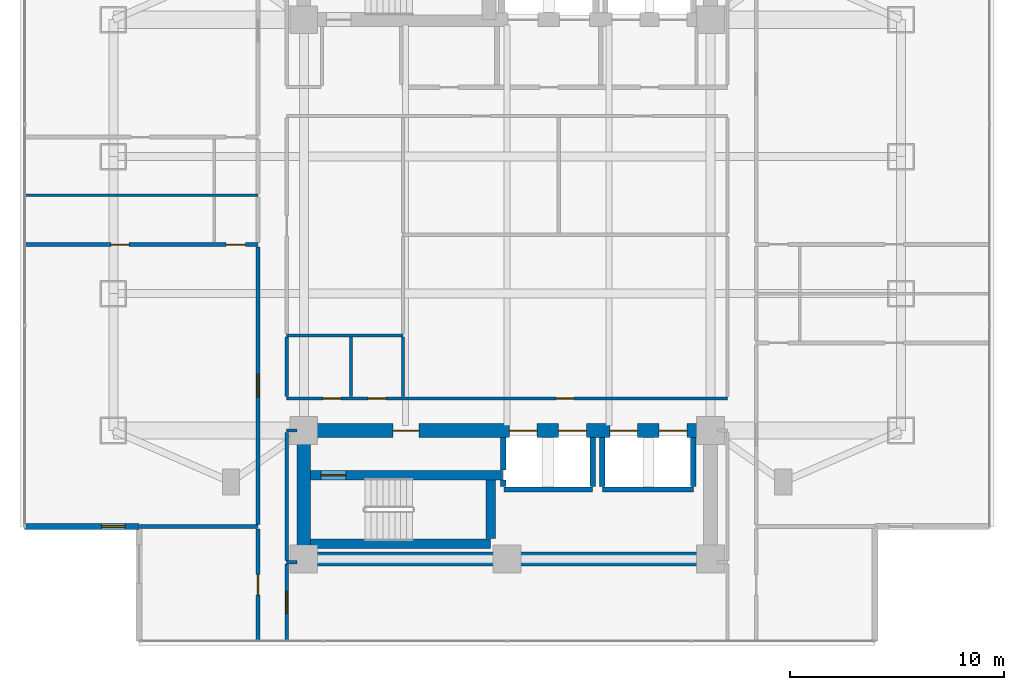
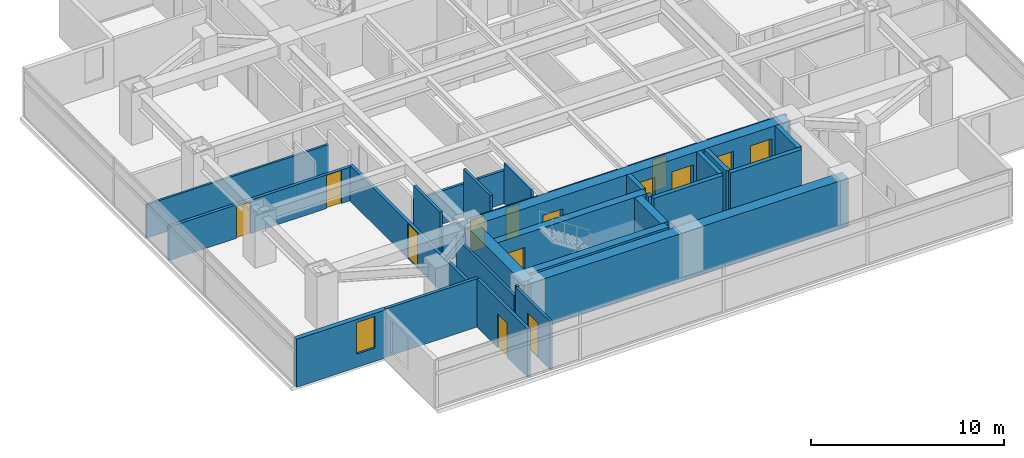
# One storey, part 14 of 27: 28 walls, 14 doors, 1 window, 15 openings.
"""IFC4 building model written with IfcOpenShell, lengths in metres."""

from ifc_helpers import new_model, si_unit, direction, frame, frame_2d, origin, place, context, subcontext, project, spatial, rectangle, extrude, material, layer, layer_set, type_object, element, fill, save


model = new_model("IFC4")

# Units and contexts
model_context = context("Model", 3, precision=1e-05, world=origin(), true_north=direction((0.0, 1.0)))
body_context = subcontext(model_context, "Body", "Model", "MODEL_VIEW")
ifc_project = project(units=[si_unit("LENGTHUNIT", "METRE"), si_unit("AREAUNIT", "SQUARE_METRE"), si_unit("VOLUMEUNIT", "CUBIC_METRE"), si_unit("PLANEANGLEUNIT", "RADIAN"), si_unit("MASSUNIT", "GRAM", prefix="KILO")], contexts=[model_context])

# Site, building, storey
site_placement = place(None, origin())
site = spatial("IfcSite", under=ifc_project, at=site_placement, CompositionType="ELEMENT")
building_placement = place(site_placement, origin())
building = spatial("IfcBuilding", under=site, at=building_placement, Name="Mirazonda Arch Towers", CompositionType="ELEMENT")
storey_placement = place(building_placement, frame((0.0, 0.0, 75.199951171875)))
storey = spatial("IfcBuildingStorey", under=building, at=storey_placement, Name="L21", CompositionType="ELEMENT", Elevation=75.199951171875)

# Wall
ifc_material_1 = material(Name="Concrete C50/60", Category="concrete")
ifc_layer_1 = layer(ifc_material_1, 0.449951171875, Name="WALL-CORE-450")
ifc_layer_set_1 = layer_set([ifc_layer_1], Name="Concrete C50/60")
wall_type_1 = type_object("IfcWallType", Name="WALL-CORE-450", PredefinedType="SHEAR", material=ifc_layer_set_1)
wall_1_placement = place(storey_placement, frame((11.320068359375, 13.1201171875, 0.0), z_axis=(0.0, 0.0, 1.0), x_axis=(1.0, 0.0, 0.0)))
element("IfcWall", 1, at=wall_1_placement, inside=storey, type_object=wall_type_1, Name="L21 Stair Core Shear Wall 003", PredefinedType="SHEAR", context=body_context, shape_type="SweptSolid", body=[
    extrude(rectangle(XDim=8.409912109375, YDim=0.449951171875, at=frame_2d((4.205078125, 0.0))), origin(), (0.0, 0.0, 1.0), 3.06005859375),
])

# Wall, opening, door
wall_2_placement = place(storey_placement, frame((11.320068359375, 16.320068359375, 0.0), z_axis=(0.0, 0.0, 1.0), x_axis=(1.0, 0.0, 0.0)))
wall_2 = element("IfcWall", 2, at=wall_2_placement, inside=storey, type_object=wall_type_1, Name="L21 Stair Core Shear Wall 008", PredefinedType="SHEAR", context=body_context, shape_type="SweptSolid", body=[
    extrude(rectangle(XDim=8.9599609375, YDim=0.449951171875, at=frame_2d((4.47998046875, 0.0))), origin(), (0.0, 0.0, 1.0), 3.06005859375),
])
opening_1_placement = place(wall_2_placement, frame((0.4951171875, 0.0, 0.0)))
opening_1 = element("IfcOpeningElement", 3, at=opening_1_placement, cuts=wall_2, Name="Opening DR-135", PredefinedType="OPENING", context=body_context, shape_type="SweptSolid", body=[
    extrude(rectangle(XDim=1.14990234375, YDim=2.199951171875, at=frame_2d((0.574951171875, 1.10009765625))), frame((0.0, 0.23486328125, 0.0), z_axis=(0.0, -1.0, 0.0), x_axis=(1.0, 0.0, 0.0)), (0.0, 0.0, 1.0), 0.469970703125),
])
ifc_material_2 = material(Name="Architectural Brushed Steel S355", Category="steel")
door_type_1 = type_object("IfcDoorType", Name="DOOR-STAIR-FD90-1150", OperationType="NOTDEFINED", PredefinedType="DOOR", material=ifc_material_2)
door_1_placement = place(opening_1_placement, origin())
door_1 = element("IfcDoor", 4, at=door_1_placement, inside=storey, type_object=door_type_1, Name="L21 Protected Exit Stair South Door", OperationType="SINGLE_SWING_LEFT", OverallHeight=2.199951171875, OverallWidth=1.14990234375, PredefinedType="DOOR", context=body_context, shape_type="SweptSolid", body=[
    extrude(rectangle(XDim=1.14990234375, YDim=2.199951171875, at=frame_2d((0.574951171875, 1.10009765625))), frame((0.0, 0.02490234375, 0.0), z_axis=(0.0, -1.0, 0.0), x_axis=(1.0, 0.0, 0.0)), (0.0, 0.0, 1.0), 0.050048828125),
])
fill(opening_1, door_1)

# Walls
wall_3_placement = place(storey_placement, frame((19.72998046875, 13.35498046875, 0.0), z_axis=(0.0, 0.0, 1.0), x_axis=(0.0, 1.0, 0.0)))
element("IfcWall", 5, at=wall_3_placement, inside=storey, type_object=wall_type_1, Name="L21 Stair Core Shear Wall 078", PredefinedType="SHEAR", context=body_context, shape_type="SweptSolid", body=[
    extrude(rectangle(XDim=2.72998046875, YDim=0.449951171875, at=frame_2d((1.364990234375, 0.0))), origin(), (0.0, 0.0, 1.0), 3.06005859375),
])
ifc_material_3 = material(Name="Concrete C60/75", Category="concrete")
ifc_layer_2 = layer(ifc_material_3, 0.64990234375, Name="WALL-CORE-650")
ifc_layer_set_2 = layer_set([ifc_layer_2], Name="Concrete C60/75")
wall_type_2 = type_object("IfcWallType", Name="WALL-CORE-650", PredefinedType="SHEAR", material=ifc_layer_set_2)
wall_4_placement = place(storey_placement, frame((11.0, 12.39990234375, 0.0), z_axis=(0.0, 0.0, 1.0), x_axis=(1.0, 0.0, 0.0)))
element("IfcWall", 6, at=wall_4_placement, inside=storey, type_object=wall_type_2, Name="L21 T1S-S Core Shear Wall", PredefinedType="SHEAR", context=body_context, shape_type="SweptSolid", body=[
    extrude(rectangle(XDim=19.0, YDim=0.64990234375, at=frame_2d((9.5, 0.0))), origin(), (0.0, 0.0, 1.0), 3.06005859375),
])
wall_5_placement = place(storey_placement, frame((11.0, 12.39990234375, 0.0), z_axis=(0.0, 0.0, 1.0), x_axis=(0.0, 1.0, 0.0)))
element("IfcWall", 7, at=wall_5_placement, inside=storey, type_object=wall_type_2, Name="L21 T1S-W Core Shear Wall", PredefinedType="SHEAR", context=body_context, shape_type="SweptSolid", body=[
    extrude(rectangle(XDim=6.0, YDim=0.64990234375, at=frame_2d((3.0, 0.0))), origin(), (0.0, 0.0, 1.0), 3.06005859375),
])

# Wall, openings, doors
wall_6_placement = place(storey_placement, frame((11.0, 18.39990234375, 0.0), z_axis=(0.0, 0.0, 1.0), x_axis=(1.0, 0.0, 0.0)))
wall_6 = element("IfcWall", 8, at=wall_6_placement, inside=storey, type_object=wall_type_2, Name="L21 T1S-N Core Shear Wall", PredefinedType="SHEAR", context=body_context, shape_type="SweptSolid", body=[
    extrude(rectangle(XDim=19.0, YDim=0.64990234375, at=frame_2d((9.5, 0.0))), origin(), (0.0, 0.0, 1.0), 3.06005859375),
])
opening_2_placement = place(wall_6_placement, frame((4.175048828125, 0.0, 0.0)))
opening_2 = element("IfcOpeningElement", 9, at=opening_2_placement, cuts=wall_6, Name="Opening DR-117", PredefinedType="OPENING", context=body_context, shape_type="SweptSolid", body=[
    extrude(rectangle(XDim=1.199951171875, YDim=2.25, at=frame_2d((0.60009765625, 1.125))), frame((0.0, 0.3349609375, 0.0), z_axis=(0.0, -1.0, 0.0), x_axis=(1.0, 0.0, 0.0)), (0.0, 0.0, 1.0), 0.669921875),
])
opening_3_placement = place(wall_6_placement, frame((9.60009765625, 0.0, 0.0)))
opening_3 = element("IfcOpeningElement", 10, at=opening_3_placement, cuts=wall_6, Name="Opening LD-111", PredefinedType="OPENING", context=body_context, shape_type="SweptSolid", body=[
    extrude(rectangle(XDim=1.300048828125, YDim=2.300048828125, at=frame_2d((0.64990234375, 1.14990234375))), frame((0.0, 0.3349609375, 0.0), z_axis=(0.0, -1.0, 0.0), x_axis=(1.0, 0.0, 0.0)), (0.0, 0.0, 1.0), 0.669921875),
])
opening_4_placement = place(wall_6_placement, frame((11.89990234375, 0.0, 0.0)))
opening_4 = element("IfcOpeningElement", 11, at=opening_4_placement, cuts=wall_6, Name="Opening LD-111", PredefinedType="OPENING", context=body_context, shape_type="SweptSolid", body=[
    extrude(rectangle(XDim=1.300048828125, YDim=2.300048828125, at=frame_2d((0.64990234375, 1.14990234375))), frame((0.0, 0.3349609375, 0.0), z_axis=(0.0, -1.0, 0.0), x_axis=(1.0, 0.0, 0.0)), (0.0, 0.0, 1.0), 0.669921875),
])
opening_5_placement = place(wall_6_placement, frame((14.300048828125, 0.0, 0.0)))
opening_5 = element("IfcOpeningElement", 12, at=opening_5_placement, cuts=wall_6, Name="Opening LD-111", PredefinedType="OPENING", context=body_context, shape_type="SweptSolid", body=[
    extrude(rectangle(XDim=1.300048828125, YDim=2.300048828125, at=frame_2d((0.64990234375, 1.14990234375))), frame((0.0, 0.3349609375, 0.0), z_axis=(0.0, -1.0, 0.0), x_axis=(1.0, 0.0, 0.0)), (0.0, 0.0, 1.0), 0.669921875),
])
opening_6_placement = place(wall_6_placement, frame((16.60009765625, 0.0, 0.0)))
opening_6 = element("IfcOpeningElement", 13, at=opening_6_placement, cuts=wall_6, Name="Opening LD-111", PredefinedType="OPENING", context=body_context, shape_type="SweptSolid", body=[
    extrude(rectangle(XDim=1.300048828125, YDim=2.300048828125, at=frame_2d((0.64990234375, 1.14990234375))), frame((0.0, 0.3349609375, 0.0), z_axis=(0.0, -1.0, 0.0), x_axis=(1.0, 0.0, 0.0)), (0.0, 0.0, 1.0), 0.669921875),
])
door_type_2 = type_object("IfcDoorType", Name="DOOR-FFL-FD90-1200", OperationType="NOTDEFINED", PredefinedType="DOOR", material=ifc_material_2)
door_2_placement = place(opening_2_placement, origin())
door_2 = element("IfcDoor", 14, at=door_2_placement, inside=storey, type_object=door_type_2, Name="L21 South Core Stair & Lift Lobby Door", OperationType="SINGLE_SWING_RIGHT", OverallHeight=2.25, OverallWidth=1.199951171875, PredefinedType="DOOR", context=body_context, shape_type="SweptSolid", body=[
    extrude(rectangle(XDim=1.199951171875, YDim=2.25, at=frame_2d((0.60009765625, 1.125))), frame((0.0, 0.02490234375, 0.0), z_axis=(0.0, -1.0, 0.0), x_axis=(1.0, 0.0, 0.0)), (0.0, 0.0, 1.0), 0.050048828125),
])
fill(opening_2, door_2)
door_type_3 = type_object("IfcDoorType", Name="DOOR-LIFT-LAND-1300", OperationType="NOTDEFINED", PredefinedType="DOOR", material=ifc_material_2)
door_3_placement = place(opening_3_placement, origin())
door_3 = element("IfcDoor", 15, at=door_3_placement, inside=storey, type_object=door_type_3, Name="L21 Lift Landing Sliding Door PL-T1M1", OperationType="DOUBLE_DOOR_SLIDING", OverallHeight=2.300048828125, OverallWidth=1.300048828125, PredefinedType="DOOR", context=body_context, shape_type="SweptSolid", body=[
    extrude(rectangle(XDim=1.300048828125, YDim=2.300048828125, at=frame_2d((0.64990234375, 1.14990234375))), frame((0.0, 0.02490234375, 0.0), z_axis=(0.0, -1.0, 0.0), x_axis=(1.0, 0.0, 0.0)), (0.0, 0.0, 1.0), 0.050048828125),
])
fill(opening_3, door_3)
door_4_placement = place(opening_4_placement, origin())
door_4 = element("IfcDoor", 16, at=door_4_placement, inside=storey, type_object=door_type_3, Name="L21 Lift Landing Sliding Door PL-T1M2", OperationType="DOUBLE_DOOR_SLIDING", OverallHeight=2.300048828125, OverallWidth=1.300048828125, PredefinedType="DOOR", context=body_context, shape_type="SweptSolid", body=[
    extrude(rectangle(XDim=1.300048828125, YDim=2.300048828125, at=frame_2d((0.64990234375, 1.14990234375))), frame((0.0, 0.02490234375, 0.0), z_axis=(0.0, -1.0, 0.0), x_axis=(1.0, 0.0, 0.0)), (0.0, 0.0, 1.0), 0.050048828125),
])
fill(opening_4, door_4)
door_5_placement = place(opening_5_placement, origin())
door_5 = element("IfcDoor", 17, at=door_5_placement, inside=storey, type_object=door_type_3, Name="L21 Lift Landing Sliding Door PL-T1H1", OperationType="DOUBLE_DOOR_SLIDING", OverallHeight=2.300048828125, OverallWidth=1.300048828125, PredefinedType="DOOR", context=body_context, shape_type="SweptSolid", body=[
    extrude(rectangle(XDim=1.300048828125, YDim=2.300048828125, at=frame_2d((0.64990234375, 1.14990234375))), frame((0.0, 0.02490234375, 0.0), z_axis=(0.0, -1.0, 0.0), x_axis=(1.0, 0.0, 0.0)), (0.0, 0.0, 1.0), 0.050048828125),
])
fill(opening_5, door_5)
door_6_placement = place(opening_6_placement, origin())
door_6 = element("IfcDoor", 18, at=door_6_placement, inside=storey, type_object=door_type_3, Name="L21 Lift Landing Sliding Door PL-T1H2", OperationType="DOUBLE_DOOR_SLIDING", OverallHeight=2.300048828125, OverallWidth=1.300048828125, PredefinedType="DOOR", context=body_context, shape_type="SweptSolid", body=[
    extrude(rectangle(XDim=1.300048828125, YDim=2.300048828125, at=frame_2d((0.64990234375, 1.14990234375))), frame((0.0, 0.02490234375, 0.0), z_axis=(0.0, -1.0, 0.0), x_axis=(1.0, 0.0, 0.0)), (0.0, 0.0, 1.0), 0.050048828125),
])
fill(opening_6, door_6)

# Wall, opening, window
ifc_material_4 = material(Name="Precast Concrete C40/50", Category="concrete")
ifc_layer_3 = layer(ifc_material_4, 0.280029296875, Name="WALL-EXT-WALL-280")
ifc_layer_set_3 = layer_set([ifc_layer_3], Name="Precast Concrete C40/50")
wall_type_3 = type_object("IfcWallType", Name="WALL-EXT-WALL-280", PredefinedType="SOLIDWALL", material=ifc_layer_set_3)
wall_7_placement = place(storey_placement, frame((-2.0400390625, 13.9140625, 0.0), z_axis=(0.0, 0.0, 1.0), x_axis=(1.0, 0.0, 0.0)))
wall_7 = element("IfcWall", 19, at=wall_7_placement, inside=storey, type_object=wall_type_3, Name="L21 T1 Corner Notch Return Wall WL-L21-T1-CSW2", PredefinedType="SOLIDWALL", context=body_context, shape_type="SweptSolid", body=[
    extrude(rectangle(XDim=5.340087890625, YDim=0.280029296875, at=frame_2d((2.669921875, 0.0))), origin(), (0.0, 0.0, 1.0), 3.0400390625),
])
opening_7_placement = place(wall_7_placement, frame((3.590087890625, 0.0, 0.85009765625)))
opening_7 = element("IfcOpeningElement", 20, at=opening_7_placement, cuts=wall_7, Name="Opening WN-108", PredefinedType="OPENING", context=body_context, shape_type="SweptSolid", body=[
    extrude(rectangle(XDim=1.10009765625, YDim=2.0, at=frame_2d((0.550048828125, 1.0))), frame((0.0, 0.14990234375, 0.0), z_axis=(0.0, -1.0, 0.0), x_axis=(1.0, 0.0, 0.0)), (0.0, 0.0, 1.0), 0.300048828125),
])
ifc_material_5 = material(Name="Insulated Low-E Solar Glass", Category="glass")
window_type = type_object("IfcWindowType", Name="WIN-NOTCH-1100x2000", PartitioningType="SINGLE_PANEL", PredefinedType="WINDOW", material=ifc_material_5)
window_placement = place(opening_7_placement, origin())
window = element("IfcWindow", 21, at=window_placement, inside=storey, type_object=window_type, Name="L21 Punched Facade Window WN-L21-T1-CSW2", OverallHeight=2.0, OverallWidth=1.10009765625, PartitioningType="SINGLE_PANEL", PredefinedType="WINDOW", context=body_context, shape_type="SweptSolid", body=[
    extrude(rectangle(XDim=1.10009765625, YDim=2.0, at=frame_2d((0.550048828125, 1.0))), frame((0.0, 0.030029296875, 0.0), z_axis=(0.0, -1.0, 0.0), x_axis=(1.0, 0.0, 0.0)), (0.0, 0.0, 1.0), 0.06005859375),
])
fill(opening_7, window)

# Walls
ifc_material_6 = material(Name="Fire-Rated Gypsum Stud Partition")
ifc_layer_4 = layer(ifc_material_6, 0.14990234375, Name="WALL-PART-CORR-150")
ifc_layer_set_4 = layer_set([ifc_layer_4], Name="Fire-Rated Gypsum Stud Partition")
wall_type_4 = type_object("IfcWallType", Name="WALL-PART-CORR-150", PredefinedType="PARTITIONING", material=ifc_layer_set_4)
wall_8_placement = place(storey_placement, frame((10.199951171875, 12.25, 0.0), z_axis=(0.0, 0.0, 1.0), x_axis=(1.0, 0.0, 0.0)))
element("IfcWall", 22, at=wall_8_placement, inside=storey, type_object=wall_type_4, Name="L21 Interior Partition 001", PredefinedType="PARTITIONING", context=body_context, shape_type="SweptSolid", body=[
    extrude(rectangle(XDim=0.47998046875, YDim=0.14990234375, at=frame_2d((0.239990234375, 0.0))), origin(), (0.0, 0.0, 1.0), 3.06005859375),
])
wall_9_placement = place(storey_placement, frame((10.199951171875, 18.39990234375, 0.0), z_axis=(0.0, 0.0, 1.0), x_axis=(1.0, 0.0, 0.0)))
element("IfcWall", 23, at=wall_9_placement, inside=storey, type_object=wall_type_4, Name="L21 Interior Partition 012", PredefinedType="PARTITIONING", context=body_context, shape_type="SweptSolid", body=[
    extrude(rectangle(XDim=0.47998046875, YDim=0.14990234375, at=frame_2d((0.239990234375, 0.0))), origin(), (0.0, 0.0, 1.0), 2.43603515625),
])

# Wall, openings, doors
wall_10_placement = place(storey_placement, frame((10.199951171875, 19.89990234375, 0.0), z_axis=(0.0, 0.0, 1.0), x_axis=(1.0, 0.0, 0.0)))
wall_10 = element("IfcWall", 24, at=wall_10_placement, inside=storey, type_object=wall_type_4, Name="L21 Interior Partition 015", PredefinedType="PARTITIONING", context=body_context, shape_type="SweptSolid", body=[
    extrude(rectangle(XDim=20.60009765625, YDim=0.14990234375, at=frame_2d((10.300048828125, 0.0))), origin(), (0.0, 0.0, 1.0), 2.10400390625),
])
opening_8_placement = place(wall_10_placement, frame((1.695068359375, 0.0, 0.0)))
opening_8 = element("IfcOpeningElement", 25, at=opening_8_placement, cuts=wall_10, Name="Opening DR-128", PredefinedType="OPENING", context=body_context, shape_type="SweptSolid", body=[
    extrude(rectangle(XDim=0.85009765625, YDim=2.010009765625, at=frame_2d((0.425048828125, 1.0048828125))), frame((0.0, 0.0849609375, 0.0), z_axis=(0.0, -1.0, 0.0), x_axis=(1.0, 0.0, 0.0)), (0.0, 0.0, 1.0), 0.169921875),
])
opening_9_placement = place(wall_10_placement, frame((3.794921875, 0.0, 0.0)))
opening_9 = element("IfcOpeningElement", 26, at=opening_9_placement, cuts=wall_10, Name="Opening DR-128", PredefinedType="OPENING", context=body_context, shape_type="SweptSolid", body=[
    extrude(rectangle(XDim=0.85009765625, YDim=2.010009765625, at=frame_2d((0.425048828125, 1.0048828125))), frame((0.0, 0.0849609375, 0.0), z_axis=(0.0, -1.0, 0.0), x_axis=(1.0, 0.0, 0.0)), (0.0, 0.0, 1.0), 0.169921875),
])
opening_10_placement = place(wall_10_placement, frame((12.574951171875, 0.0, 0.0)))
opening_10 = element("IfcOpeningElement", 27, at=opening_10_placement, cuts=wall_10, Name="Opening DR-128", PredefinedType="OPENING", context=body_context, shape_type="SweptSolid", body=[
    extrude(rectangle(XDim=0.85009765625, YDim=2.010009765625, at=frame_2d((0.425048828125, 1.0048828125))), frame((0.0, 0.0849609375, 0.0), z_axis=(0.0, -1.0, 0.0), x_axis=(1.0, 0.0, 0.0)), (0.0, 0.0, 1.0), 0.169921875),
])
door_type_4 = type_object("IfcDoorType", Name="DOOR-RISER-FD60-850", OperationType="NOTDEFINED", PredefinedType="DOOR", material=ifc_material_2)
door_7_placement = place(opening_8_placement, origin())
door_7 = element("IfcDoor", 28, at=door_7_placement, inside=storey, type_object=door_type_4, Name="L21 Common Accessible WC Door", OperationType="SINGLE_SWING_RIGHT", OverallHeight=2.010009765625, OverallWidth=0.85009765625, PredefinedType="DOOR", context=body_context, shape_type="SweptSolid", body=[
    extrude(rectangle(XDim=0.85009765625, YDim=2.010009765625, at=frame_2d((0.425048828125, 1.0048828125))), frame((0.0, 0.02490234375, 0.0), z_axis=(0.0, -1.0, 0.0), x_axis=(1.0, 0.0, 0.0)), (0.0, 0.0, 1.0), 0.050048828125),
])
fill(opening_8, door_7)
door_8_placement = place(opening_9_placement, origin())
door_8 = element("IfcDoor", 29, at=door_8_placement, inside=storey, type_object=door_type_4, Name="L21 L21 West Courtyard Study Door", OperationType="SINGLE_SWING_LEFT", OverallHeight=2.010009765625, OverallWidth=0.85009765625, PredefinedType="DOOR", context=body_context, shape_type="SweptSolid", body=[
    extrude(rectangle(XDim=0.85009765625, YDim=2.010009765625, at=frame_2d((0.425048828125, 1.0048828125))), frame((0.0, 0.02490234375, 0.0), z_axis=(0.0, -1.0, 0.0), x_axis=(1.0, 0.0, 0.0)), (0.0, 0.0, 1.0), 0.050048828125),
])
fill(opening_9, door_8)
door_9_placement = place(opening_10_placement, origin())
door_9 = element("IfcDoor", 30, at=door_9_placement, inside=storey, type_object=door_type_4, Name="L21 Executive Club Lounge Door", OperationType="SINGLE_SWING_LEFT", OverallHeight=2.010009765625, OverallWidth=0.85009765625, PredefinedType="DOOR", context=body_context, shape_type="SweptSolid", body=[
    extrude(rectangle(XDim=0.85009765625, YDim=2.010009765625, at=frame_2d((0.425048828125, 1.0048828125))), frame((0.0, 0.02490234375, 0.0), z_axis=(0.0, -1.0, 0.0), x_axis=(1.0, 0.0, 0.0)), (0.0, 0.0, 1.0), 0.050048828125),
])
fill(opening_10, door_9)

# Wall
wall_11_placement = place(storey_placement, frame((10.199951171875, 22.85009765625, 0.0), z_axis=(0.0, 0.0, 1.0), x_axis=(1.0, 0.0, 0.0)))
element("IfcWall", 31, at=wall_11_placement, inside=storey, type_object=wall_type_4, Name="L21 Interior Partition 022", PredefinedType="PARTITIONING", context=body_context, shape_type="SweptSolid", body=[
    extrude(rectangle(XDim=5.43994140625, YDim=0.14990234375, at=frame_2d((2.719970703125, 0.0))), origin(), (0.0, 0.0, 1.0), 2.10400390625),
])

# Wall, opening, door
wall_12_placement = place(storey_placement, frame((10.199951171875, 8.573974609375, 0.0), z_axis=(0.0, 0.0, 1.0), x_axis=(0.0, 1.0, 0.0)))
wall_12 = element("IfcWall", 32, at=wall_12_placement, inside=storey, type_object=wall_type_4, Name="L21 Interior Partition 065", PredefinedType="PARTITIONING", context=body_context, shape_type="SweptSolid", body=[
    extrude(rectangle(XDim=3.591064453125, YDim=0.14990234375, at=frame_2d((1.79541015625, 0.0))), origin(), (0.0, 0.0, 1.0), 3.06005859375),
])
opening_11_placement = place(wall_12_placement, frame((1.2705078125, 0.0, 0.0)))
opening_11 = element("IfcOpeningElement", 33, at=opening_11_placement, cuts=wall_12, Name="Opening DR-121", PredefinedType="OPENING", context=body_context, shape_type="SweptSolid", body=[
    extrude(rectangle(XDim=1.050048828125, YDim=2.199951171875, at=frame_2d((0.52490234375, 1.10009765625))), frame((0.0, 0.0849609375, 0.0), z_axis=(0.0, -1.0, 0.0), x_axis=(1.0, 0.0, 0.0)), (0.0, 0.0, 1.0), 0.169921875),
])
door_type_5 = type_object("IfcDoorType", Name="DOOR-SUITE-FD60-1050", OperationType="NOTDEFINED", PredefinedType="DOOR", material=ifc_material_2)
door_10_placement = place(opening_11_placement, origin())
door_10 = element("IfcDoor", 34, at=door_10_placement, inside=storey, type_object=door_type_5, Name="L21 South Horizon Lounge Gallery Door", OperationType="SINGLE_SWING_RIGHT", OverallHeight=2.199951171875, OverallWidth=1.050048828125, PredefinedType="DOOR", context=body_context, shape_type="SweptSolid", body=[
    extrude(rectangle(XDim=1.050048828125, YDim=2.199951171875, at=frame_2d((0.52490234375, 1.10009765625))), frame((0.0, 0.02490234375, 0.0), z_axis=(0.0, -1.0, 0.0), x_axis=(1.0, 0.0, 0.0)), (0.0, 0.0, 1.0), 0.050048828125),
])
fill(opening_11, door_10)

# Walls
wall_13_placement = place(storey_placement, frame((10.199951171875, 12.3349609375, 0.0), z_axis=(0.0, 0.0, 1.0), x_axis=(0.0, 1.0, 0.0)))
element("IfcWall", 35, at=wall_13_placement, inside=storey, type_object=wall_type_4, Name="L21 Interior Partition 066", PredefinedType="PARTITIONING", context=body_context, shape_type="SweptSolid", body=[
    extrude(rectangle(XDim=5.97998046875, YDim=0.14990234375, at=frame_2d((2.989990234375, 0.0))), origin(), (0.0, 0.0, 1.0), 2.43603515625),
])
for number, where, z_axis, x_axis, name in (
    (36, (10.206787109375, 19.985107421875, 0.0), (0.0, 0.0, 1.0), (0.0, 1.0, 0.0), "L21 Interior Partition 067"),
    (37, (13.199951171875, 19.985107421875, 0.0), (0.0, 0.0, 1.0), (0.0, 1.0, 0.0), "L21 Interior Partition 072"),
):
    element("IfcWall", number, at=place(storey_placement, frame(where, z_axis=z_axis, x_axis=x_axis)), inside=storey, type_object=wall_type_4, Name=name, PredefinedType="PARTITIONING", context=body_context, shape_type="SweptSolid", body=[
        extrude(rectangle(XDim=2.77978515625, YDim=0.14990234375, at=frame_2d((1.389892578125, 0.0))), origin(), (0.0, 0.0, 1.0), 3.06005859375),
    ])
wall_14_placement = place(storey_placement, frame((15.639892578125, 19.985107421875, 0.0), z_axis=(0.0, 0.0, 1.0), x_axis=(0.0, 1.0, 0.0)))
element("IfcWall", 38, at=wall_14_placement, inside=storey, type_object=wall_type_4, Name="L21 Interior Partition 073", PredefinedType="PARTITIONING", context=body_context, shape_type="SweptSolid", body=[
    extrude(rectangle(XDim=2.77978515625, YDim=0.14990234375, at=frame_2d((1.389892578125, 0.0))), origin(), (0.0, 0.0, 1.0), 2.589111328125),
])
ifc_material_7 = material(Name="Fire-Rated Gypsum Twin-Stud Assembly")
ifc_layer_5 = layer(ifc_material_7, 0.179931640625, Name="WALL-PART-DEMISE-180")
ifc_layer_set_5 = layer_set([ifc_layer_5], Name="Fire-Rated Gypsum Twin-Stud Assembly")
wall_type_5 = type_object("IfcWallType", Name="WALL-PART-DEMISE-180", PredefinedType="PARTITIONING", material=ifc_layer_set_5)
wall_15_placement = place(storey_placement, frame((3.320068359375, 13.9140625, 0.0), z_axis=(0.0, 0.0, 1.0), x_axis=(1.0, 0.0, 0.0)))
element("IfcWall", 39, at=wall_15_placement, inside=storey, type_object=wall_type_5, Name="L21 Interior Partition 004", PredefinedType="PARTITIONING", context=body_context, shape_type="SweptSolid", body=[
    extrude(rectangle(XDim=5.5400390625, YDim=0.179931640625, at=frame_2d((2.77001953125, 0.0))), origin(), (0.0, 0.0, 1.0), 3.06005859375),
])

# Wall, openings, doors
wall_16_placement = place(storey_placement, frame((-2.0400390625, 27.091064453125, 0.0), z_axis=(0.0, 0.0, 1.0), x_axis=(1.0, 0.0, 0.0)))
wall_16 = element("IfcWall", 40, at=wall_16_placement, inside=storey, type_object=wall_type_5, Name="L21 Interior Partition 028", PredefinedType="PARTITIONING", context=body_context, shape_type="SweptSolid", body=[
    extrude(rectangle(XDim=10.900146484375, YDim=0.179931640625, at=frame_2d((5.4501953125, 0.0))), origin(), (0.0, 0.0, 1.0), 2.125),
])
opening_12_placement = place(wall_16_placement, frame((4.02490234375, 0.0, 0.0)))
opening_12 = element("IfcOpeningElement", 41, at=opening_12_placement, cuts=wall_16, Name="Opening DR-128", PredefinedType="OPENING", context=body_context, shape_type="SweptSolid", body=[
    extrude(rectangle(XDim=0.85009765625, YDim=2.010009765625, at=frame_2d((0.425048828125, 1.0048828125))), frame((0.0, 0.099853515625, 0.0), z_axis=(0.0, -1.0, 0.0), x_axis=(1.0, 0.0, 0.0)), (0.0, 0.0, 1.0), 0.199951171875),
])
opening_13_placement = place(wall_16_placement, frame((9.409912109375, 0.0, 0.0)))
opening_13 = element("IfcOpeningElement", 42, at=opening_13_placement, cuts=wall_16, Name="Opening DR-120", PredefinedType="OPENING", context=body_context, shape_type="SweptSolid", body=[
    extrude(rectangle(XDim=0.89990234375, YDim=2.10009765625, at=frame_2d((0.449951171875, 1.050048828125))), frame((0.0, 0.099853515625, 0.0), z_axis=(0.0, -1.0, 0.0), x_axis=(1.0, 0.0, 0.0)), (0.0, 0.0, 1.0), 0.199951171875),
])
door_11_placement = place(opening_12_placement, origin())
door_11 = element("IfcDoor", 43, at=door_11_placement, inside=storey, type_object=door_type_4, Name="L21 Suite Bedroom 1 Door", OperationType="SINGLE_SWING_RIGHT", OverallHeight=2.010009765625, OverallWidth=0.85009765625, PredefinedType="DOOR", context=body_context, shape_type="SweptSolid", body=[
    extrude(rectangle(XDim=0.85009765625, YDim=2.010009765625, at=frame_2d((0.425048828125, 1.0048828125))), frame((0.0, 0.02490234375, 0.0), z_axis=(0.0, -1.0, 0.0), x_axis=(1.0, 0.0, 0.0)), (0.0, 0.0, 1.0), 0.050048828125),
])
fill(opening_12, door_11)
door_type_6 = type_object("IfcDoorType", Name="DOOR-WC-900", OperationType="NOTDEFINED", PredefinedType="DOOR", material=ifc_material_2)
door_12_placement = place(opening_13_placement, origin())
door_12 = element("IfcDoor", 44, at=door_12_placement, inside=storey, type_object=door_type_6, Name="L21 Suite En-Suite Bathroom 1 Door", OperationType="SINGLE_SWING_LEFT", OverallHeight=2.10009765625, OverallWidth=0.89990234375, PredefinedType="DOOR", context=body_context, shape_type="SweptSolid", body=[
    extrude(rectangle(XDim=0.89990234375, YDim=2.10009765625, at=frame_2d((0.449951171875, 1.050048828125))), frame((0.0, 0.02490234375, 0.0), z_axis=(0.0, -1.0, 0.0), x_axis=(1.0, 0.0, 0.0)), (0.0, 0.0, 1.0), 0.050048828125),
])
fill(opening_13, door_12)

# Wall, opening, door
wall_17_placement = place(storey_placement, frame((8.860107421875, 8.573974609375, 0.0), z_axis=(0.0, 0.0, 1.0), x_axis=(0.0, 1.0, 0.0)))
wall_17 = element("IfcWall", 45, at=wall_17_placement, inside=storey, type_object=wall_type_5, Name="L21 Interior Partition 059", PredefinedType="PARTITIONING", context=body_context, shape_type="SweptSolid", body=[
    extrude(rectangle(XDim=5.239990234375, YDim=0.179931640625, at=frame_2d((2.6201171875, 0.0))), origin(), (0.0, 0.0, 1.0), 3.06005859375),
])
opening_14_placement = place(wall_17_placement, frame((2.14501953125, 0.0, 0.0)))
opening_14 = element("IfcOpeningElement", 46, at=opening_14_placement, cuts=wall_17, Name="Opening DR-104", PredefinedType="OPENING", context=body_context, shape_type="SweptSolid", body=[
    extrude(rectangle(XDim=0.949951171875, YDim=2.14990234375, at=frame_2d((0.47509765625, 1.074951171875))), frame((0.0, 0.099853515625, 0.0), z_axis=(0.0, -1.0, 0.0), x_axis=(1.0, 0.0, 0.0)), (0.0, 0.0, 1.0), 0.199951171875),
])
door_type_7 = type_object("IfcDoorType", Name="DOOR-ROOM-950", OperationType="NOTDEFINED", PredefinedType="DOOR", material=ifc_material_2)
door_13_placement = place(opening_14_placement, origin())
door_13 = element("IfcDoor", 47, at=door_13_placement, inside=storey, type_object=door_type_7, Name="L21 South Horizon Lounge Alcove West Door", OperationType="SINGLE_SWING_LEFT", OverallHeight=2.14990234375, OverallWidth=0.949951171875, PredefinedType="DOOR", context=body_context, shape_type="SweptSolid", body=[
    extrude(rectangle(XDim=0.949951171875, YDim=2.14990234375, at=frame_2d((0.47509765625, 1.074951171875))), frame((0.0, 0.02490234375, 0.0), z_axis=(0.0, -1.0, 0.0), x_axis=(1.0, 0.0, 0.0)), (0.0, 0.0, 1.0), 0.050048828125),
])
fill(opening_14, door_13)

wall_18_placement = place(storey_placement, frame((8.860107421875, 14.013916015625, 0.0), z_axis=(0.0, 0.0, 1.0), x_axis=(0.0, 1.0, 0.0)))
wall_18 = element("IfcWall", 48, at=wall_18_placement, inside=storey, type_object=wall_type_5, Name="L21 Interior Partition 060", PredefinedType="PARTITIONING", context=body_context, shape_type="SweptSolid", body=[
    extrude(rectangle(XDim=12.97705078125, YDim=0.179931640625, at=frame_2d((6.488525390625, 0.0))), origin(), (0.0, 0.0, 1.0), 2.279052734375),
])
opening_15_placement = place(wall_18_placement, frame((5.96337890625, 0.0, 0.0)))
opening_15 = element("IfcOpeningElement", 49, at=opening_15_placement, cuts=wall_18, Name="Opening DR-121", PredefinedType="OPENING", context=body_context, shape_type="SweptSolid", body=[
    extrude(rectangle(XDim=1.050048828125, YDim=2.199951171875, at=frame_2d((0.52490234375, 1.10009765625))), frame((0.0, 0.099853515625, 0.0), z_axis=(0.0, -1.0, 0.0), x_axis=(1.0, 0.0, 0.0)), (0.0, 0.0, 1.0), 0.199951171875),
])
door_14_placement = place(opening_15_placement, origin())
door_14 = element("IfcDoor", 50, at=door_14_placement, inside=storey, type_object=door_type_5, Name="L21 Presidential Hotel Suite 1 Door", OperationType="SINGLE_SWING_LEFT", OverallHeight=2.199951171875, OverallWidth=1.050048828125, PredefinedType="DOOR", context=body_context, shape_type="SweptSolid", body=[
    extrude(rectangle(XDim=1.050048828125, YDim=2.199951171875, at=frame_2d((0.52490234375, 1.10009765625))), frame((0.0, 0.02490234375, 0.0), z_axis=(0.0, -1.0, 0.0), x_axis=(1.0, 0.0, 0.0)), (0.0, 0.0, 1.0), 0.050048828125),
])
fill(opening_15, door_14)

# Walls
ifc_material_8 = material(Name="Acoustic Fire-Rated Gypsum Partition")
ifc_layer_6 = layer(ifc_material_8, 0.125, Name="WALL-PART-UNIT-125")
ifc_layer_set_6 = layer_set([ifc_layer_6], Name="Acoustic Fire-Rated Gypsum Partition")
wall_type_6 = type_object("IfcWallType", Name="WALL-PART-UNIT-125", PredefinedType="PARTITIONING", material=ifc_layer_set_6)
wall_19_placement = place(storey_placement, frame((-2.0400390625, 29.39111328125, 0.0), z_axis=(0.0, 0.0, 1.0), x_axis=(1.0, 0.0, 0.0)))
element("IfcWall", 51, at=wall_19_placement, inside=storey, type_object=wall_type_6, Name="L21 Interior Partition 032", PredefinedType="PARTITIONING", context=body_context, shape_type="SweptSolid", body=[
    extrude(rectangle(XDim=10.900146484375, YDim=0.125, at=frame_2d((5.4501953125, 0.0))), origin(), (0.0, 0.0, 1.0), 2.125),
])
ifc_material_9 = material(Name="Concrete C40/50", Category="concrete")
ifc_layer_7 = layer(ifc_material_9, 0.25, Name="WALL-SHAFT-250")
ifc_layer_set_7 = layer_set([ifc_layer_7], Name="Concrete C40/50")
wall_type_7 = type_object("IfcWallType", Name="WALL-SHAFT-250", PredefinedType="SOLIDWALL", material=ifc_layer_set_7)
wall_20_placement = place(storey_placement, frame((20.35009765625, 15.64990234375, 0.0), z_axis=(0.0, 0.0, 1.0), x_axis=(1.0, 0.0, 0.0)))
element("IfcWall", 52, at=wall_20_placement, inside=storey, type_object=wall_type_7, Name="L21 Interior Partition 006", PredefinedType="SOLIDWALL", context=body_context, shape_type="SweptSolid", body=[
    extrude(rectangle(XDim=4.14990234375, YDim=0.25, at=frame_2d((2.074951171875, 0.0))), origin(), (0.0, 0.0, 1.0), 3.06005859375),
])
wall_21_placement = place(storey_placement, frame((24.949951171875, 15.64990234375, 0.0), z_axis=(0.0, 0.0, 1.0), x_axis=(1.0, 0.0, 0.0)))
element("IfcWall", 53, at=wall_21_placement, inside=storey, type_object=wall_type_7, Name="L21 Interior Partition 007", PredefinedType="SOLIDWALL", context=body_context, shape_type="SweptSolid", body=[
    extrude(rectangle(XDim=4.25, YDim=0.25, at=frame_2d((2.125, 0.0))), origin(), (0.0, 0.0, 1.0), 3.06005859375),
])
wall_22_placement = place(storey_placement, frame((20.31494140625, 15.784912109375, 0.0), z_axis=(0.0, 0.0, 1.0), x_axis=(0.0, 1.0, 0.0)))
element("IfcWall", 54, at=wall_22_placement, inside=storey, type_object=wall_type_7, Name="L21 Interior Partition 080", PredefinedType="SOLIDWALL", context=body_context, shape_type="SweptSolid", body=[
    extrude(rectangle(XDim=0.300048828125, YDim=0.25, at=frame_2d((0.14990234375, 0.0))), origin(), (0.0, 0.0, 1.0), 3.06005859375),
])
wall_23_placement = place(storey_placement, frame((20.31494140625, 16.554931640625, 0.0), z_axis=(0.0, 0.0, 1.0), x_axis=(0.0, 1.0, 0.0)))
element("IfcWall", 55, at=wall_23_placement, inside=storey, type_object=wall_type_7, Name="L21 Interior Partition 081", PredefinedType="SOLIDWALL", context=body_context, shape_type="SweptSolid", body=[
    extrude(rectangle(XDim=1.525146484375, YDim=0.25, at=frame_2d((0.7626953125, 0.0))), origin(), (0.0, 0.0, 1.0), 3.06005859375),
])
for number, where, z_axis, x_axis, name in (
    (56, (24.5, 15.784912109375, 0.0), (0.0, 0.0, 1.0), (0.0, 1.0, 0.0), "L21 Interior Partition 084"),
    (57, (24.949951171875, 15.784912109375, 0.0), (0.0, 0.0, 1.0), (0.0, 1.0, 0.0), "L21 Interior Partition 086"),
    (58, (29.199951171875, 15.784912109375, 0.0), (0.0, 0.0, 1.0), (0.0, 1.0, 0.0), "L21 Interior Partition 089"),
):
    element("IfcWall", number, at=place(storey_placement, frame(where, z_axis=z_axis, x_axis=x_axis)), inside=storey, type_object=wall_type_7, Name=name, PredefinedType="SOLIDWALL", context=body_context, shape_type="SweptSolid", body=[
        extrude(rectangle(XDim=2.295166015625, YDim=0.25, at=frame_2d((1.1474609375, 0.0))), origin(), (0.0, 0.0, 1.0), 3.06005859375),
    ])

save(model, "model.ifc")
